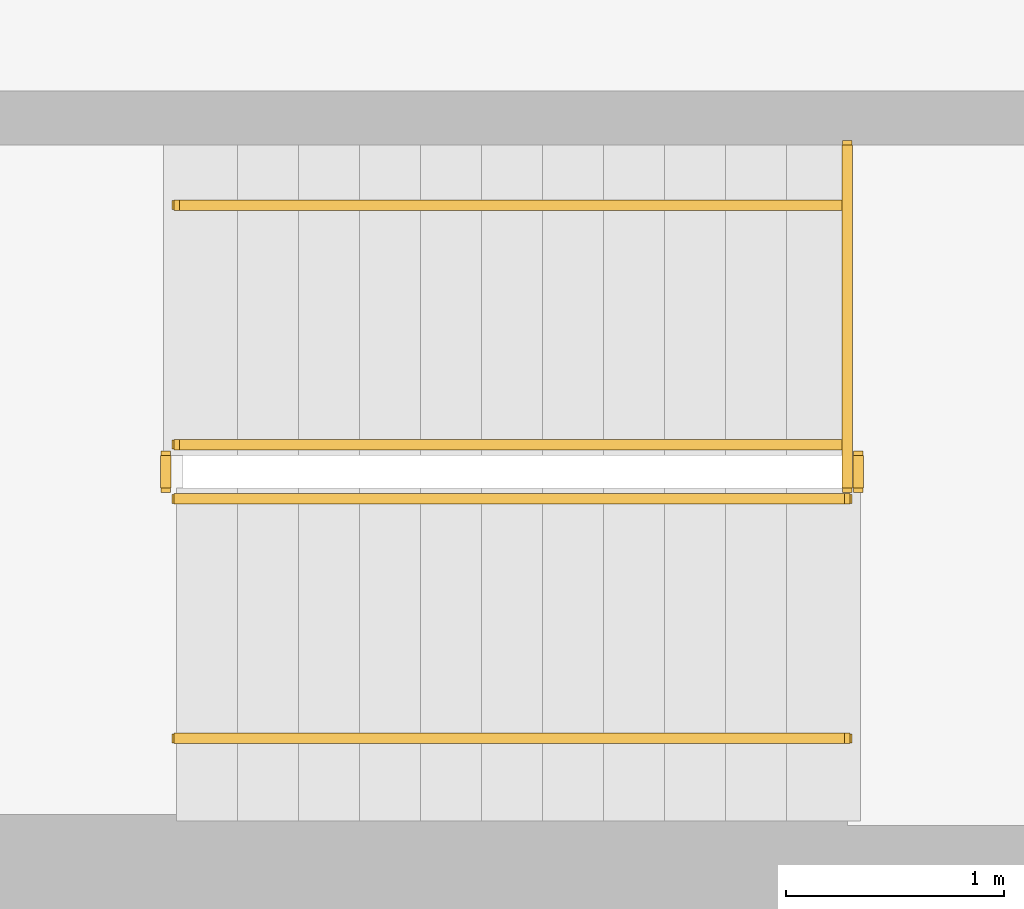
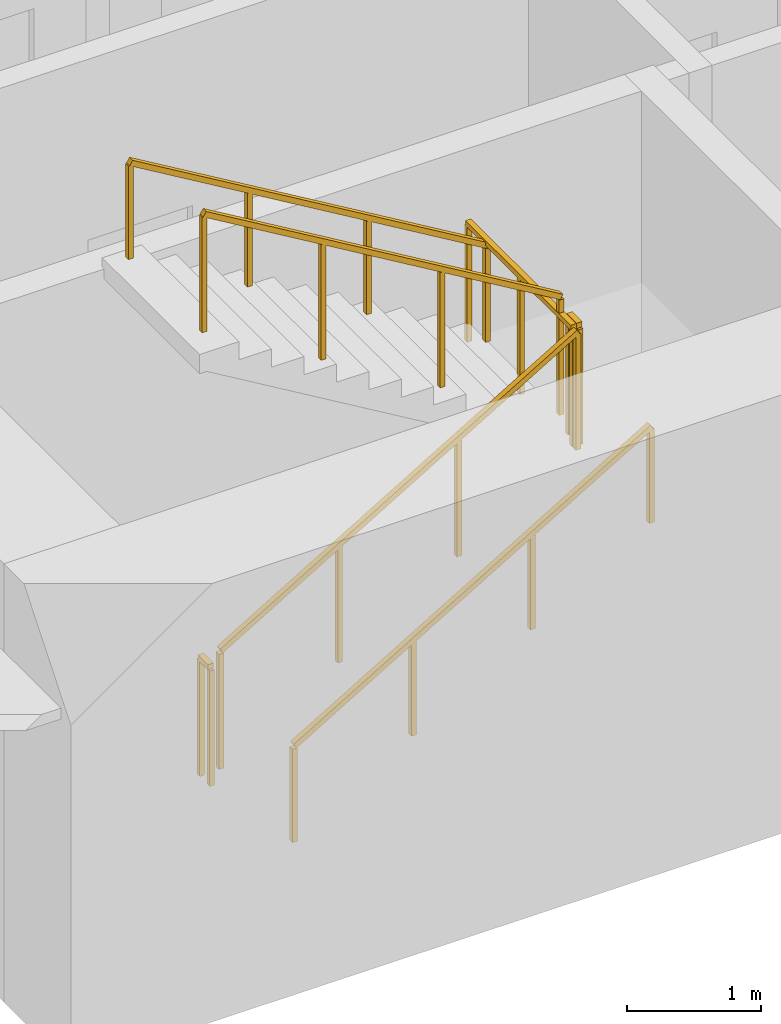
# One storey, part 13 of 16: 7 railings.
"""IFC4 building model written with IfcOpenShell, lengths in metres."""

import ifcopenshell
import ifcopenshell.guid

model = None  # the IFC model being written
_history = None  # IfcOwnerHistory: only IFC2X3 demands one
_inside = {}  # id of a spatial element -> (the spatial element, [elements in it])
_under = {}  # id of a project, library or spatial element -> (it, [spatial elements below it])
_declared = {}  # id of a project -> (the project, [libraries it declares])
_typed = {}  # id of a type object -> (the type object, [elements of that type])
_made_of = {}  # id of a material, layer set ... -> (it, [elements and type objects made of it])


def new_model(schema):
    """Start an empty IFC model of exactly this schema.

    Asked for "IFC4X3", IfcOpenShell would pick the latest addendum, in which some entities
    have other attributes; the version numbers below select the first issue.
    IFC2X3 requires an IfcOwnerHistory on every rooted entity: one is made here for all.
    """
    global model, _history
    if schema == "IFC4X3":
        model = ifcopenshell.file(schema_version=(4, 3, 0, 0))
    else:
        model = ifcopenshell.file(schema=schema)
    _inside.clear()
    _under.clear()
    _declared.clear()
    _typed.clear()
    _made_of.clear()
    _history = None
    if model.schema == "IFC2X3":
        org = make("IfcOrganization", Name="unknown")
        user = make(
            "IfcPersonAndOrganization",
            ThePerson=make("IfcPerson", FamilyName="unknown"),
            TheOrganization=org,
        )
        app = make(
            "IfcApplication",
            ApplicationDeveloper=org,
            Version="unknown",
            ApplicationFullName="unknown",
            ApplicationIdentifier="unknown",
        )
        _history = make(
            "IfcOwnerHistory",
            OwningUser=user,
            OwningApplication=app,
            ChangeAction="ADDED",
            CreationDate=0,
        )
    return model


def make(cls, **values):
    """One entity of the class cls with the attributes given. An attribute that is None is left unset."""
    return model.create_entity(
        cls, **{name: value for name, value in values.items() if value is not None}
    )


def rooted(cls, **values):
    """An entity with a GlobalId (a new one), such as an element, a storey or a relation."""
    return make(cls, GlobalId=ifcopenshell.guid.new(), OwnerHistory=_history, **values)


def si_unit(unit_type, name, prefix=None):
    """IfcSIUnit, for example si_unit("LENGTHUNIT", "METRE", prefix="MILLI")."""
    return make("IfcSIUnit", UnitType=unit_type, Prefix=prefix, Name=name)


def assignment(units):
    """IfcUnitAssignment: the units of a project."""
    return None if units is None else make("IfcUnitAssignment", Units=units)


def point(xyz):
    """IfcCartesianPoint."""
    return None if xyz is None else make("IfcCartesianPoint", Coordinates=xyz)


def direction(xyz):
    """IfcDirection."""
    return None if xyz is None else make("IfcDirection", DirectionRatios=xyz)


def frame(location, z_axis=None, x_axis=None):
    """IfcAxis2Placement3D, a coordinate frame: its origin and axes. An axis left out is left unset."""
    return make(
        "IfcAxis2Placement3D",
        Location=point(location),
        Axis=direction(z_axis),
        RefDirection=direction(x_axis),
    )


def frame_2d(location, x_axis=None):
    """IfcAxis2Placement2D, a coordinate frame in the plane: its origin and x axis."""
    return make(
        "IfcAxis2Placement2D", Location=point(location), RefDirection=direction(x_axis)
    )


def origin():
    """The frame at (0, 0, 0) with its axes left unset."""
    return frame((0.0, 0.0, 0.0))


def origin_2d():
    """The frame at (0, 0) in the plane with its x axis left unset."""
    return frame_2d((0.0, 0.0))


def place(relative_to, where):
    """IfcLocalPlacement: puts the frame where relative to a parent placement (None: the world)."""
    return make(
        "IfcLocalPlacement", PlacementRelTo=relative_to, RelativePlacement=where
    )


def context(
    kind, dimensions, precision=None, world=None, true_north=None, identifier=None
):
    """IfcGeometricRepresentationContext, for example the 3D "Model" context."""
    return make(
        "IfcGeometricRepresentationContext",
        ContextIdentifier=identifier,
        ContextType=kind,
        CoordinateSpaceDimension=dimensions,
        Precision=precision,
        WorldCoordinateSystem=world,
        TrueNorth=true_north,
    )


def subcontext(parent, identifier, kind, view, scale=None):
    """IfcGeometricRepresentationSubContext, for example "Body" below "Model"."""
    return make(
        "IfcGeometricRepresentationSubContext",
        ContextIdentifier=identifier,
        ContextType=kind,
        ParentContext=parent,
        TargetScale=scale,
        TargetView=view,
    )


def project(units=None, contexts=None):
    """IfcProject with its units and contexts."""
    return rooted(
        "IfcProject",
        Name="project",
        RepresentationContexts=contexts,
        UnitsInContext=assignment(units),
    )


def spatial(cls, under=None, at=None, **own):
    """A site, building, storey or space (cls), placed at a placement, below another one or the project."""
    s = rooted(cls, ObjectPlacement=at, **own)
    if under is not None:
        _under.setdefault(under.id(), (under, []))[1].append(s)
    return s


def profile(cls, at=None, kind="AREA", **sizes):
    """A parametric profile (cls). Its sizes go by their IFC names, for example OverallWidth=200.0."""
    return make(cls, ProfileType=kind, Position=at, **sizes)


def rectangle(**sizes):
    """IfcRectangleProfileDef."""
    return profile("IfcRectangleProfileDef", **sizes)


def extrude(swept, where, along, depth):
    """IfcExtrudedAreaSolid: the profile swept, set in the frame where, extruded along a direction by depth."""
    return make(
        "IfcExtrudedAreaSolid",
        SweptArea=swept,
        Position=where,
        ExtrudedDirection=direction(along),
        Depth=depth,
    )


def shape(context_of_items, identifier, shape_type, items):
    """IfcShapeRepresentation: the items that make up one representation, for example the "Body"."""
    return make(
        "IfcShapeRepresentation",
        ContextOfItems=context_of_items,
        RepresentationIdentifier=identifier,
        RepresentationType=shape_type,
        Items=items,
    )


def material(Name=None, Category=None):
    """IfcMaterial."""
    return make("IfcMaterial", Name=Name, Category=Category)


def made_of(thing, what):
    """Note that an element or type object is made of a material, layer set ...; save() writes the relation."""
    if what is not None:
        _made_of.setdefault(what.id(), (what, []))[1].append(thing)
    return thing


def type_object(cls, material=None, **own):
    """A type object (cls), such as IfcWallType, which elements share."""
    return made_of(rooted(cls, **own), material)


def element(
    cls,
    number,
    at=None,
    inside=None,
    cuts=None,
    type_object=None,
    material=None,
    context=None,
    identifier="Body",
    shape_type=None,
    held_by="IfcProductDefinitionShape",
    body=None,
    shapes=None,
    **own,
):
    """One element of the class cls, such as IfcWall. Its Tag is "e" and its number.

    at: its placement. inside: the storey or other place that contains it. cuts: it is an
    opening in that element (IfcRelVoidsElement). A single representation is given by context,
    identifier, shape_type and body (its items); several are given by shapes. held_by: the class
    of the entity that holds the representations. save() writes the other relations.
    """
    e = rooted(cls, Tag="e%d" % number, ObjectPlacement=at, **own)
    if body is not None:
        shapes = [shape(context, identifier, shape_type, body)]
    if shapes is not None:
        e.Representation = make(held_by, Representations=shapes)
    if inside is not None:
        _inside.setdefault(inside.id(), (inside, []))[1].append(e)
    if cuts is not None:
        rooted(
            "IfcRelVoidsElement", RelatingBuildingElement=cuts, RelatedOpeningElement=e
        )
    if type_object is not None:
        _typed.setdefault(type_object.id(), (type_object, []))[1].append(e)
    return made_of(e, material)


def aggregate(whole, parts):
    """IfcRelAggregates: a whole, such as a stair, and the parts it consists of."""
    return rooted("IfcRelAggregates", RelatingObject=whole, RelatedObjects=parts)


def save(model, path):
    """Write the relations noted so far, then the file.

    IfcRelAggregates (storeys below a building ...), IfcRelContainedInSpatialStructure (elements
    in a storey), IfcRelDefinesByType, IfcRelAssociatesMaterial and IfcRelDeclares: one each for
    every whole, place, type object, material and project.
    """
    for whole, parts in _under.values():
        aggregate(whole, parts)
    for where, things in _inside.values():
        rooted(
            "IfcRelContainedInSpatialStructure",
            RelatedElements=things,
            RelatingStructure=where,
        )
    for kind, things in _typed.values():
        rooted("IfcRelDefinesByType", RelatedObjects=things, RelatingType=kind)
    for what, things in _made_of.values():
        rooted("IfcRelAssociatesMaterial", RelatedObjects=things, RelatingMaterial=what)
    for by, libraries in _declared.values():
        rooted("IfcRelDeclares", RelatingContext=by, RelatedDefinitions=libraries)
    model.write(path)


model = new_model("IFC4")

# Units and contexts
model_context = context("Model", 3, precision=1e-05, world=origin(), true_north=direction((0.0, 1.0)))
body_context = subcontext(model_context, "Body", "Model", "MODEL_VIEW")
ifc_project = project(units=[si_unit("LENGTHUNIT", "METRE"), si_unit("AREAUNIT", "SQUARE_METRE"), si_unit("VOLUMEUNIT", "CUBIC_METRE"), si_unit("PLANEANGLEUNIT", "RADIAN"), si_unit("MASSUNIT", "GRAM", prefix="KILO")], contexts=[model_context])

# Site, building, storey
site_placement = place(None, origin())
site = spatial("IfcSite", under=ifc_project, at=site_placement, CompositionType="ELEMENT")
building_placement = place(site_placement, origin())
building = spatial("IfcBuilding", under=site, at=building_placement, Name="Sennacour Bend Tower", CompositionType="ELEMENT")
storey_placement = place(building_placement, frame((0.0, 0.0, 183.0)))
storey = spatial("IfcBuildingStorey", under=building, at=storey_placement, Name="L42", CompositionType="ELEMENT", Elevation=183.0)

# Railings
ifc_material = material(Name="Stainless steel", Category="steel")
railing_type_1 = type_object("IfcRailingType", Name="RL-GUARD-1100", PredefinedType="GUARDRAIL", material=ifc_material)
railing_1_placement = place(storey_placement, frame((56.699951171875, 2.449951171875, 0.166748046875)))
element("IfcRailing", 1, at=railing_1_placement, inside=storey, type_object=railing_type_1, Name="L42 SA1 stair guard 1", PredefinedType="GUARDRAIL", context=body_context, shape_type="SweptSolid", body=[
    extrude(rectangle(XDim=0.048095703125, YDim=0.048095703125, at=origin_2d()), frame((0.0, 0.0, 1.076171875), z_axis=(0.859308565015, 0.0, 0.511457515432), x_axis=(0.0, 1.0, 0.0)), (0.0, 0.0, 1.0), 3.58447265625),
    extrude(rectangle(XDim=0.0419921875, YDim=0.0419921875, at=origin_2d()), origin(), (0.0, 0.0, 1.0), 1.052001953125),
    extrude(rectangle(XDim=0.0419921875, YDim=0.0419921875, at=origin_2d()), frame((1.026611328125, 0.0, 0.611083984375)), (0.0, 0.0, 1.0), 1.052001953125),
    extrude(rectangle(XDim=0.0419921875, YDim=0.0419921875, at=origin_2d()), frame((2.053466796875, 0.0, 1.22216796875)), (0.0, 0.0, 1.0), 1.052001953125),
    extrude(rectangle(XDim=0.0419921875, YDim=0.0419921875, at=origin_2d()), frame((3.080078125, 0.0, 1.833251953125)), (0.0, 0.0, 1.0), 1.052001953125),
])
railing_2_placement = place(storey_placement, frame((59.830078125, 2.5, 2.0)))
element("IfcRailing", 2, at=railing_2_placement, inside=storey, type_object=railing_type_1, Name="L42 SA1 stair guard 2", PredefinedType="GUARDRAIL", context=body_context, shape_type="SweptSolid", body=[
    extrude(rectangle(XDim=0.048095703125, YDim=0.048095703125, at=origin_2d()), frame((0.0, 0.0, 1.076171875), z_axis=(0.0, 1.0, 0.0), x_axis=(-1.0, 0.0, 0.0)), (0.0, 0.0, 1.0), 0.14990234375),
    extrude(rectangle(XDim=0.0419921875, YDim=0.0419921875, at=origin_2d()), origin(), (0.0, 0.0, 1.0), 1.052001953125),
    extrude(rectangle(XDim=0.0419921875, YDim=0.0419921875, at=origin_2d()), frame((0.0, 0.14990234375, 0.0)), (0.0, 0.0, 1.0), 1.052001953125),
])
railing_3_placement = place(storey_placement, frame((59.780029296875, 2.699951171875, 2.166748046875)))
element("IfcRailing", 3, at=railing_3_placement, inside=storey, type_object=railing_type_1, Name="L42 SA1 stair guard 4", PredefinedType="GUARDRAIL", context=body_context, shape_type="SweptSolid", body=[
    extrude(rectangle(XDim=0.048095703125, YDim=0.048095703125, at=origin_2d()), frame((0.0, 0.0, 1.076171875), z_axis=(-0.859308565015, 0.0, 0.511457515432), x_axis=(0.0, -1.0, 0.0)), (0.0, 0.0, 1.0), 3.58447265625),
    extrude(rectangle(XDim=0.0419921875, YDim=0.0419921875, at=origin_2d()), origin(), (0.0, 0.0, 1.0), 1.052001953125),
    extrude(rectangle(XDim=0.0419921875, YDim=0.0419921875, at=origin_2d()), frame((-1.026611328125, 0.0, 0.611083984375)), (0.0, 0.0, 1.0), 1.052001953125),
    extrude(rectangle(XDim=0.0419921875, YDim=0.0419921875, at=origin_2d()), frame((-2.053466796875, 0.0, 1.22216796875)), (0.0, 0.0, 1.0), 1.052001953125),
    extrude(rectangle(XDim=0.0419921875, YDim=0.0419921875, at=origin_2d()), frame((-3.080078125, 0.0, 1.833251953125)), (0.0, 0.0, 1.0), 1.052001953125),
])
railing_4_placement = place(storey_placement, frame((56.64990234375, 2.5, 0.0)))
element("IfcRailing", 4, at=railing_4_placement, inside=storey, type_object=railing_type_1, Name="L42 SA1 stair guard 5", PredefinedType="GUARDRAIL", context=body_context, shape_type="SweptSolid", body=[
    extrude(rectangle(XDim=0.048095703125, YDim=0.048095703125, at=origin_2d()), frame((0.0, 0.0, 1.076171875), z_axis=(0.0, 1.0, 0.0), x_axis=(-1.0, 0.0, 0.0)), (0.0, 0.0, 1.0), 0.14990234375),
    extrude(rectangle(XDim=0.0419921875, YDim=0.0419921875, at=origin_2d()), origin(), (0.0, 0.0, 1.0), 1.052001953125),
    extrude(rectangle(XDim=0.0419921875, YDim=0.0419921875, at=origin_2d()), frame((0.0, 0.14990234375, 0.0)), (0.0, 0.0, 1.0), 1.052001953125),
])
railing_5_placement = place(storey_placement, frame((59.780029296875, 2.5, 2.0)))
element("IfcRailing", 5, at=railing_5_placement, inside=storey, type_object=railing_type_1, Name="L42 SA1 landing edge guard 62", PredefinedType="GUARDRAIL", context=body_context, shape_type="SweptSolid", body=[
    extrude(rectangle(XDim=0.048095703125, YDim=0.048095703125, at=origin_2d()), frame((0.0, 0.0, 1.076171875), z_axis=(0.0, 1.0, 0.0), x_axis=(-1.0, 0.0, 0.0)), (0.0, 0.0, 1.0), 1.574951171875),
    extrude(rectangle(XDim=0.0419921875, YDim=0.0419921875, at=origin_2d()), origin(), (0.0, 0.0, 1.0), 1.052001953125),
    extrude(rectangle(XDim=0.0419921875, YDim=0.0419921875, at=origin_2d()), frame((0.0, 0.78759765625, 0.0)), (0.0, 0.0, 1.0), 1.052001953125),
    extrude(rectangle(XDim=0.0419921875, YDim=0.0419921875, at=origin_2d()), frame((0.0, 1.574951171875, 0.0)), (0.0, 0.0, 1.0), 1.052001953125),
])
railing_type_2 = type_object("IfcRailingType", Name="RL-HANDRAIL-900", PredefinedType="HANDRAIL", material=ifc_material)
railing_6_placement = place(storey_placement, frame((56.699951171875, 1.35009765625, 0.166748046875)))
element("IfcRailing", 6, at=railing_6_placement, inside=storey, type_object=railing_type_2, Name="L42 SA1 stair handrail 1", PredefinedType="HANDRAIL", context=body_context, shape_type="SweptSolid", body=[
    extrude(rectangle(XDim=0.048095703125, YDim=0.048095703125, at=origin_2d()), frame((0.0, 0.0, 0.8759765625), z_axis=(0.859308565015, 0.0, 0.511457515432), x_axis=(0.0, 1.0, 0.0)), (0.0, 0.0, 1.0), 3.58447265625),
    extrude(rectangle(XDim=0.0419921875, YDim=0.0419921875, at=origin_2d()), origin(), (0.0, 0.0, 1.0), 0.851806640625),
    extrude(rectangle(XDim=0.0419921875, YDim=0.0419921875, at=origin_2d()), frame((1.026611328125, 0.0, 0.611083984375)), (0.0, 0.0, 1.0), 0.851806640625),
    extrude(rectangle(XDim=0.0419921875, YDim=0.0419921875, at=origin_2d()), frame((2.053466796875, 0.0, 1.22216796875)), (0.0, 0.0, 1.0), 0.851806640625),
    extrude(rectangle(XDim=0.0419921875, YDim=0.0419921875, at=origin_2d()), frame((3.080078125, 0.0, 1.833251953125)), (0.0, 0.0, 1.0), 0.851806640625),
])
railing_7_placement = place(storey_placement, frame((59.780029296875, 3.800048828125, 2.166748046875)))
element("IfcRailing", 7, at=railing_7_placement, inside=storey, type_object=railing_type_2, Name="L42 SA1 stair handrail 2", PredefinedType="HANDRAIL", context=body_context, shape_type="SweptSolid", body=[
    extrude(rectangle(XDim=0.048095703125, YDim=0.048095703125, at=origin_2d()), frame((0.0, 0.0, 0.8759765625), z_axis=(-0.859308565015, 0.0, 0.511457515432), x_axis=(0.0, -1.0, 0.0)), (0.0, 0.0, 1.0), 3.58447265625),
    extrude(rectangle(XDim=0.0419921875, YDim=0.0419921875, at=origin_2d()), origin(), (0.0, 0.0, 1.0), 0.851806640625),
    extrude(rectangle(XDim=0.0419921875, YDim=0.0419921875, at=origin_2d()), frame((-1.026611328125, 0.0, 0.611083984375)), (0.0, 0.0, 1.0), 0.851806640625),
    extrude(rectangle(XDim=0.0419921875, YDim=0.0419921875, at=origin_2d()), frame((-2.053466796875, 0.0, 1.22216796875)), (0.0, 0.0, 1.0), 0.851806640625),
    extrude(rectangle(XDim=0.0419921875, YDim=0.0419921875, at=origin_2d()), frame((-3.080078125, 0.0, 1.833251953125)), (0.0, 0.0, 1.0), 0.851806640625),
])

save(model, "model.ifc")
